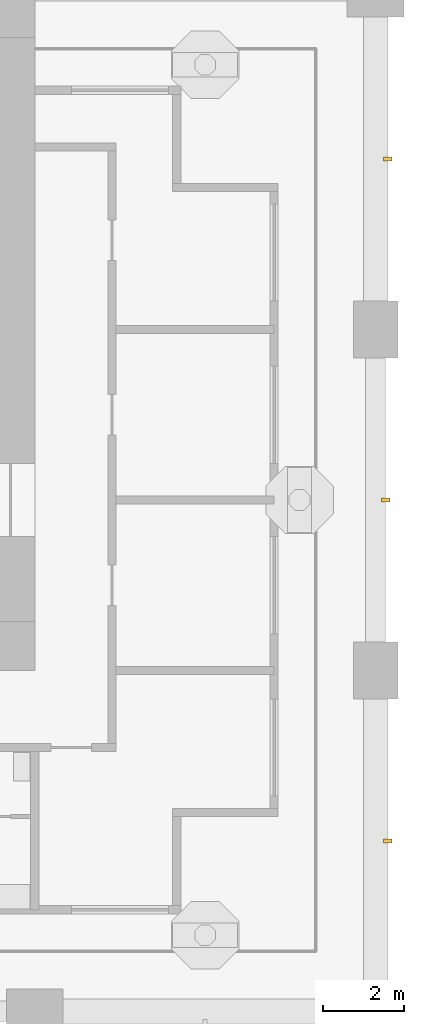
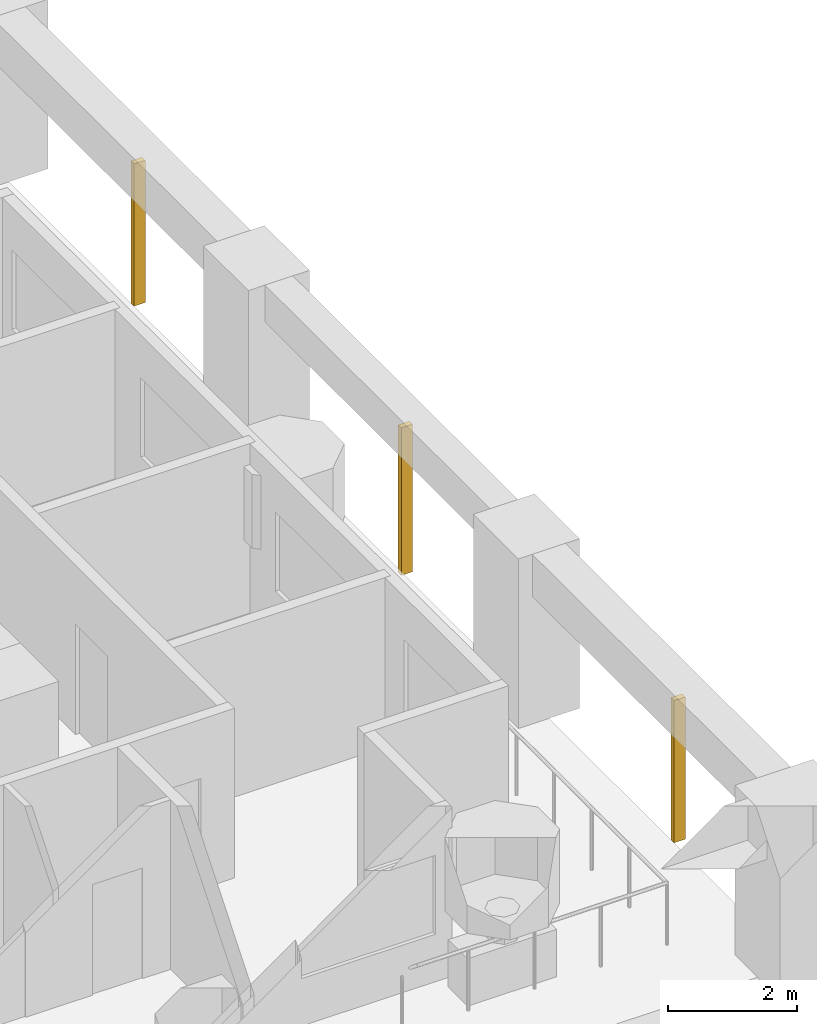
# One storey, part 17 of 20: 3 shading devices.
"""IFC4 building model written with IfcOpenShell, lengths in metres."""

from ifc_helpers import new_model, si_unit, direction, frame, origin, origin_2d, place, context, subcontext, project, spatial, rectangle, extrude, material, material_profile, profile_set, type_object, element, save


model = new_model("IFC4")

# Units and contexts
model_context = context("Model", 3, precision=1e-05, world=origin(), true_north=direction((0.0, 1.0)))
body_context = subcontext(model_context, "Body", "Model", "MODEL_VIEW")
ifc_project = project(units=[si_unit("LENGTHUNIT", "METRE"), si_unit("AREAUNIT", "SQUARE_METRE"), si_unit("VOLUMEUNIT", "CUBIC_METRE"), si_unit("PLANEANGLEUNIT", "RADIAN"), si_unit("MASSUNIT", "GRAM", prefix="KILO")], contexts=[model_context])

# Site, building, storey
site_placement = place(None, origin())
site = spatial("IfcSite", under=ifc_project, at=site_placement, CompositionType="ELEMENT")
building_placement = place(site_placement, origin())
building = spatial("IfcBuilding", under=site, at=building_placement, Name="Vermilion Gate Residences", CompositionType="ELEMENT")
storey_placement = place(building_placement, frame((0.0, 0.0, 39.199951171875)))
storey = spatial("IfcBuildingStorey", under=building, at=storey_placement, Name="L08", CompositionType="ELEMENT", Elevation=39.199951171875)

# Shading devices
ifc_material = material(Name="Extruded terracotta", Category="masonry")
ifc_material_profile = material_profile(ifc_material, rectangle(XDim=0.199951171875, YDim=0.10009765625, at=origin_2d()), Name="BAGUETTE 100 X 200")
ifc_profile_set = profile_set([ifc_material_profile], Name="Extruded terracotta")
shading_device_type = type_object("IfcShadingDeviceType", Name="TERRACOTTA BAGUETTE 100 X 200", PredefinedType="JALOUSIE", material=ifc_profile_set)
shading_device_1_placement = place(storey_placement, frame((67.5, 4.199951171875, -0.280029296875), z_axis=(0.0, 0.0, 1.0), x_axis=(-1.0, 0.0, 0.0)))
element("IfcShadingDevice", 1, at=shading_device_1_placement, inside=storey, type_object=shading_device_type, Name="BAGUETTE", PredefinedType="JALOUSIE", context=body_context, shape_type="SweptSolid", body=[
    extrude(rectangle(XDim=0.199951171875, YDim=0.10009765625, at=origin_2d()), origin(), (0.0, 0.0, 1.0), 2.7001953125),
])
shading_device_2_placement = place(storey_placement, frame((67.449951171875, 12.60009765625, -0.280029296875), z_axis=(0.0, 0.0, 1.0), x_axis=(-1.0, 0.0, 0.0)))
element("IfcShadingDevice", 2, at=shading_device_2_placement, inside=storey, type_object=shading_device_type, Name="BAGUETTE", PredefinedType="JALOUSIE", context=body_context, shape_type="SweptSolid", body=[
    extrude(rectangle(XDim=0.199951171875, YDim=0.10009765625, at=origin_2d()), origin(), (0.0, 0.0, 1.0), 2.800048828125),
])
shading_device_3_placement = place(storey_placement, frame((67.5, 21.0, -0.280029296875), z_axis=(0.0, 0.0, 1.0), x_axis=(-1.0, 0.0, 0.0)))
element("IfcShadingDevice", 3, at=shading_device_3_placement, inside=storey, type_object=shading_device_type, Name="BAGUETTE", PredefinedType="JALOUSIE", context=body_context, shape_type="SweptSolid", body=[
    extrude(rectangle(XDim=0.199951171875, YDim=0.10009765625, at=origin_2d()), origin(), (0.0, 0.0, 1.0), 2.7001953125),
])

save(model, "model.ifc")
